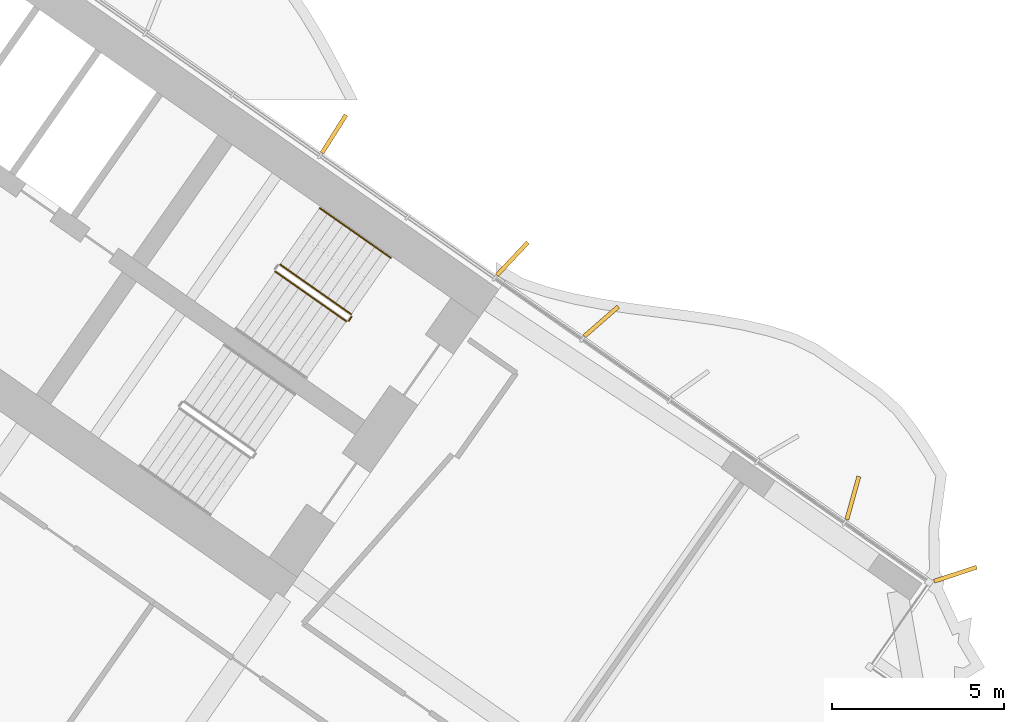
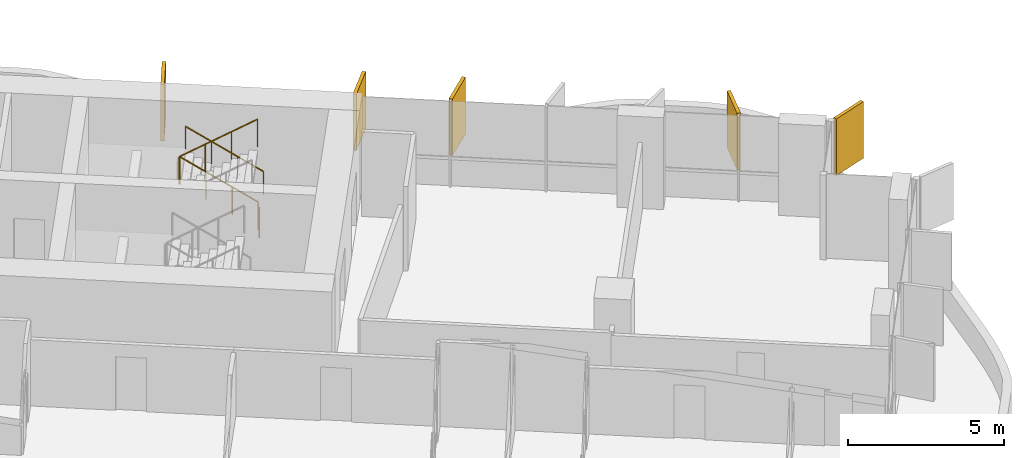
# One storey, part 22 of 22: 5 shading devices, 4 railings.
"""IFC4 building model written with IfcOpenShell, lengths in metres."""

from ifc_helpers import new_model, si_unit, direction, frame, origin, origin_2d, place, context, subcontext, project, spatial, rectangle, circle, extrude, material, layer, layer_set, type_object, element, save


model = new_model("IFC4")

# Units and contexts
model_context = context("Model", 3, precision=1e-05, world=origin(), true_north=direction((0.0, 1.0)))
body_context = subcontext(model_context, "Body", "Model", "MODEL_VIEW")
ifc_project = project(units=[si_unit("LENGTHUNIT", "METRE"), si_unit("AREAUNIT", "SQUARE_METRE"), si_unit("VOLUMEUNIT", "CUBIC_METRE"), si_unit("PLANEANGLEUNIT", "RADIAN"), si_unit("MASSUNIT", "GRAM", prefix="KILO")], contexts=[model_context])

# Site, building, storey
site_placement = place(None, origin())
site = spatial("IfcSite", under=ifc_project, at=site_placement, CompositionType="ELEMENT")
building_placement = place(site_placement, origin())
building = spatial("IfcBuilding", under=site, at=building_placement, Name="Tel Ilan Convention Tower", CompositionType="ELEMENT")
storey_placement = place(building_placement, frame((0.0, 0.0, 122.89990234375)))
storey = spatial("IfcBuildingStorey", under=building, at=storey_placement, Name="L27", CompositionType="ELEMENT", Elevation=122.89990234375)

# Shading devices
ifc_material_1 = material(Name="Aluminium, bronze anodised", Category="aluminium")
ifc_layer = layer(ifc_material_1, 0.1201171875)
ifc_layer_set = layer_set([ifc_layer], Name="FIN BRONZE 1300x120")
shading_device_type = type_object("IfcShadingDeviceType", Name="FIN BRONZE 1300x120", PredefinedType="USERDEFINED", material=ifc_layer_set)
for number, where, z_axis, x_axis, name in (
    (1, (28.35693359375, -6.242431640625, 1.10009765625), (0.0, 0.0, 1.0), (0.686241637865, 0.727373641577, 0.0), "FIN"),
    (2, (23.18017578125, -2.617431640625, 1.10009765625), (0.0, 0.0, 1.0), (0.533204432798, 0.845986425922, 0.0), "FIN"),
    (3, (41.2158203125, -15.39794921875, 1.10009765625), (0.0, 0.0, 1.0), (0.949242643575, 0.314544756146, 0.0), "FIN"),
    (4, (38.2392578125, -13.185302734375, 1.10009765625), (0.0, 0.0, 1.0), (0.268172612768, 0.963370878614, 0.0), "FIN"),
    (5, (30.940673828125, -8.0595703125, 1.10009765625), (0.0, 0.0, 1.0), (0.753435896329, 0.657521368568, 0.0), "FIN"),
):
    element("IfcShadingDevice", number, at=place(storey_placement, frame(where, z_axis=z_axis, x_axis=x_axis)), inside=storey, type_object=shading_device_type, Name=name, ObjectType="FIN", PredefinedType="USERDEFINED", context=body_context, shape_type="SweptSolid", body=[
        extrude(rectangle(XDim=1.300048828125, YDim=0.1201171875, at=origin_2d()), origin(), (0.0, 0.0, 1.0), 2.219970703125),
    ])

# Railings
ifc_material_2 = material(Name="Stainless Steel Grade 316", Category="steel")
railing_type_1 = type_object("IfcRailingType", Name="Stainless Steel Stair Guard 1100 mm", PredefinedType="GUARDRAIL", material=ifc_material_2)
railing_1_placement = place(storey_placement, frame((23.6787109375, -7.8515625, 0.18017578125)))
element("IfcRailing", 6, at=railing_1_placement, inside=storey, type_object=railing_type_1, Name="L27 S3 stair guard 1", PredefinedType="GUARDRAIL", context=body_context, shape_type="SweptSolid", body=[
    extrude(circle(Radius=0.02392578125, at=origin_2d()), frame((0.0, 0.0, 1.076171875), z_axis=(-0.689043377453, 0.48253410265, 0.540721798865), x_axis=(-0.573624882958, -0.819118119475, 0.0)), (0.0, 0.0, 1.0), 2.995849609375),
    extrude(circle(Radius=0.02099609375, at=origin_2d()), origin(), (0.0, 0.0, 1.0), 1.052001953125),
    extrude(circle(Radius=0.02099609375, at=origin_2d()), frame((-0.68798828125, 0.48193359375, 0.5400390625)), (0.0, 0.0, 1.0), 1.052001953125),
    extrude(circle(Radius=0.02099609375, at=origin_2d()), frame((-1.376220703125, 0.963623046875, 1.079833984375)), (0.0, 0.0, 1.0), 1.052001953125),
    extrude(circle(Radius=0.02099609375, at=origin_2d()), frame((-2.064208984375, 1.445556640625, 1.619873046875)), (0.0, 0.0, 1.0), 1.052001953125),
])
railing_2_placement = place(storey_placement, frame((21.47119140625, -6.61083984375, 1.97998046875)))
element("IfcRailing", 7, at=railing_2_placement, inside=storey, type_object=railing_type_1, Name="L27 S3 stair guard 3", PredefinedType="GUARDRAIL", context=body_context, shape_type="SweptSolid", body=[
    extrude(circle(Radius=0.02392578125, at=origin_2d()), frame((0.0, 0.0, 1.076171875), z_axis=(0.689013013563, -0.482512838948, 0.540779462804), x_axis=(0.573624882958, 0.819118119475, 0.0)), (0.0, 0.0, 1.0), 2.995849609375),
    extrude(circle(Radius=0.02099609375, at=origin_2d()), origin(), (0.0, 0.0, 1.0), 1.052001953125),
    extrude(circle(Radius=0.02099609375, at=origin_2d()), frame((0.68798828125, -0.48193359375, 0.5400390625)), (0.0, 0.0, 1.0), 1.052001953125),
    extrude(circle(Radius=0.02099609375, at=origin_2d()), frame((1.376220703125, -0.963623046875, 1.080078125)), (0.0, 0.0, 1.0), 1.052001953125),
    extrude(circle(Radius=0.02099609375, at=origin_2d()), frame((2.064208984375, -1.445556640625, 1.6201171875)), (0.0, 0.0, 1.0), 1.052001953125),
])
railing_3_placement = place(storey_placement, frame((23.691162109375, -7.921142578125, 0.0)))
element("IfcRailing", 8, at=railing_3_placement, inside=storey, type_object=railing_type_1, Name="L27 S3 stair guard 4", PredefinedType="GUARDRAIL", context=body_context, shape_type="SweptSolid", body=[
    extrude(circle(Radius=0.02392578125, at=origin_2d()), frame((0.0, 0.0, 1.076171875), z_axis=(-0.574444878118, -0.818543268254, 0.0), x_axis=(0.818543268254, -0.574444878118, 0.0)), (0.0, 0.0, 1.0), 0.150146484375),
    extrude(circle(Radius=0.02099609375, at=origin_2d()), origin(), (0.0, 0.0, 1.0), 1.052001953125),
    extrude(circle(Radius=0.02099609375, at=origin_2d()), frame((-0.086181640625, -0.122802734375, 0.0)), (0.0, 0.0, 1.0), 1.052001953125),
])
ifc_material_3 = material(Name="Stainless Steel Grade 316", Category="steel")
railing_type_2 = type_object("IfcRailingType", Name="Stainless Steel Stair Handrail 900 mm", PredefinedType="HANDRAIL", material=ifc_material_3)
railing_4_placement = place(storey_placement, frame((24.825927734375, -6.213134765625, 0.18017578125)))
element("IfcRailing", 9, at=railing_4_placement, inside=storey, type_object=railing_type_2, Name="L27 S3 stair handrail 1", PredefinedType="HANDRAIL", context=body_context, shape_type="SweptSolid", body=[
    extrude(circle(Radius=0.02392578125, at=origin_2d()), frame((0.0, 0.0, 0.8759765625), z_axis=(-0.68907047291, 0.482471578903, 0.540743061828), x_axis=(-0.573559875649, -0.819163639968, 0.0)), (0.0, 0.0, 1.0), 2.99560546875),
    extrude(circle(Radius=0.02099609375, at=origin_2d()), origin(), (0.0, 0.0, 1.0), 0.851806640625),
    extrude(circle(Radius=0.02099609375, at=origin_2d()), frame((-0.68798828125, 0.481689453125, 0.5400390625)), (0.0, 0.0, 1.0), 0.851806640625),
    extrude(circle(Radius=0.02099609375, at=origin_2d()), frame((-1.376220703125, 0.963623046875, 1.079833984375)), (0.0, 0.0, 1.0), 0.851806640625),
    extrude(circle(Radius=0.02099609375, at=origin_2d()), frame((-2.064208984375, 1.4453125, 1.619873046875)), (0.0, 0.0, 1.0), 0.851806640625),
])

save(model, "model.ifc")
